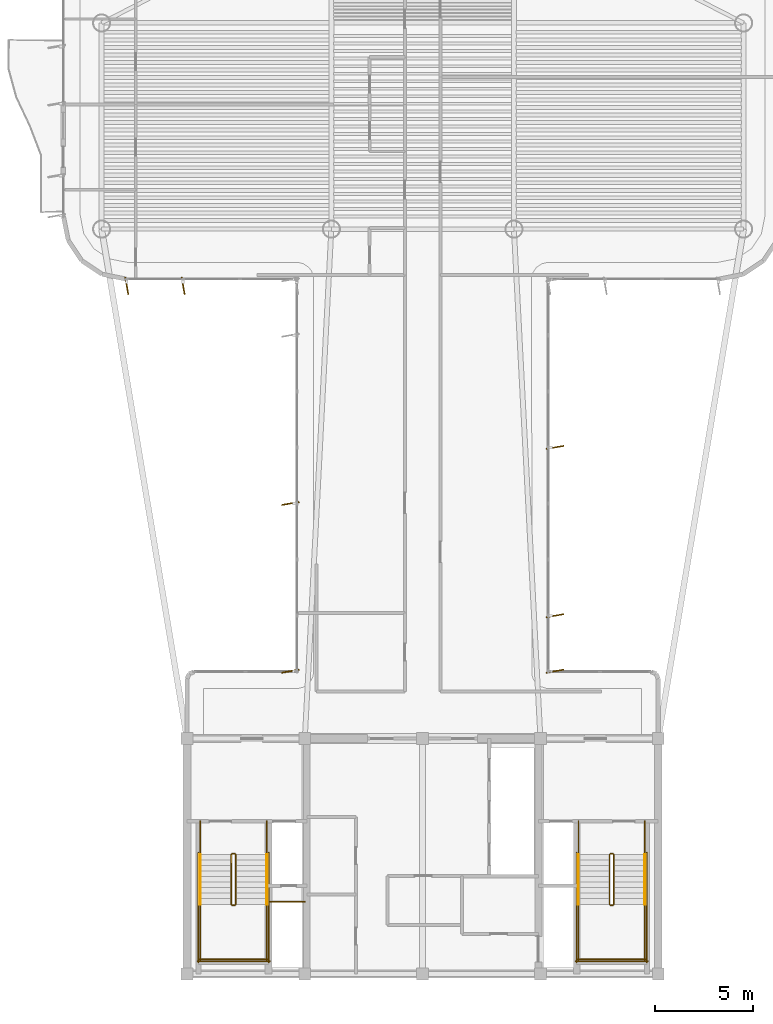
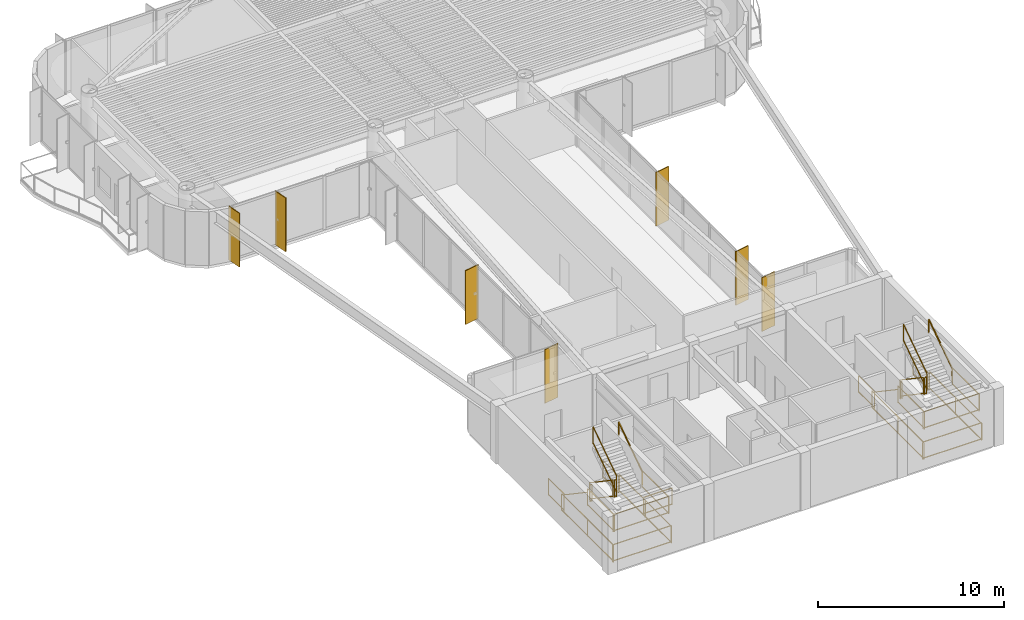
# One storey, part 14 of 15: 29 railings, 7 shading devices.
"""IFC4 building model written with IfcOpenShell, lengths in metres."""

from ifc_helpers import new_model, si_unit, direction, frame, origin, origin_2d, place, context, subcontext, project, spatial, rectangle, extrude, source, transform, mapped, material, layer, layer_set, material_profile, profile_set, type_object, element, save


model = new_model("IFC4")

# Units and contexts
model_context = context("Model", 3, precision=1e-05, world=origin(), true_north=direction((0.0, 1.0)))
body_context = subcontext(model_context, "Body", "Model", "MODEL_VIEW")
ifc_project = project(units=[si_unit("LENGTHUNIT", "METRE"), si_unit("AREAUNIT", "SQUARE_METRE"), si_unit("VOLUMEUNIT", "CUBIC_METRE"), si_unit("PLANEANGLEUNIT", "RADIAN"), si_unit("MASSUNIT", "GRAM", prefix="KILO")], contexts=[model_context])

# Site, building, storey
site_placement = place(None, origin())
site = spatial("IfcSite", under=ifc_project, at=site_placement, CompositionType="ELEMENT")
building_placement = place(site_placement, origin())
building = spatial("IfcBuilding", under=site, at=building_placement, Name="Brelvock Crest Care Tower", CompositionType="ELEMENT")
storey_placement = place(building_placement, frame((0.0, 0.0, 279.719970703125)))
storey = spatial("IfcBuildingStorey", under=building, at=storey_placement, Name="L71", CompositionType="ELEMENT", Elevation=279.719970703125)

# Railings
ifc_material_1 = material(Name="Steel Grade 350", Category="steel")
ifc_layer_1 = layer(ifc_material_1, 0.050048828125, Name="RL-STG1")
ifc_layer_set_1 = layer_set([ifc_layer_1], Name="Steel Grade 350")
railing_type_1 = type_object("IfcRailingType", Name="RL-STG1", PredefinedType="GUARDRAIL", material=ifc_layer_set_1)
railing_1_placement = place(storey_placement, frame((26.260009765625, 12.080078125, 0.18896484375)))
element("IfcRailing", 1, at=railing_1_placement, inside=storey, type_object=railing_type_1, Name="L71 ST-1 stair guard 1", PredefinedType="GUARDRAIL", context=body_context, shape_type="SweptSolid", body=[
    extrude(rectangle(XDim=0.048095703125, YDim=0.048095703125, at=origin_2d()), frame((0.0, -0.001708984375, 1.116943359375), z_axis=(0.0, -0.82882447046, 0.559508710537), x_axis=(1.0, 0.0, 0.0)), (0.0, 0.0, 1.0), 3.036376953125),
    extrude(rectangle(XDim=0.048095703125, YDim=0.048095703125, at=origin_2d()), frame((0.0, -0.001708984375, 0.05615234375), z_axis=(0.0, -0.82882447046, 0.559508710537), x_axis=(1.0, 0.0, 0.0)), (0.0, 0.0, 1.0), 3.036376953125),
    extrude(rectangle(XDim=0.0419921875, YDim=0.0419921875, at=origin_2d()), origin(), (0.0, 0.0, 1.0), 1.08984375),
    extrude(rectangle(XDim=0.0419921875, YDim=0.0419921875, at=origin_2d()), frame((0.0, -2.52001953125, 1.701171875)), (0.0, 0.0, 1.0), 1.08984375),
])
railing_2_placement = place(storey_placement, frame((26.31005859375, 9.510009765625, 1.89013671875)))
element("IfcRailing", 2, at=railing_2_placement, inside=storey, type_object=railing_type_1, Name="L71 ST-1 stair guard 2", PredefinedType="GUARDRAIL", context=body_context, shape_type="SweptSolid", body=[
    extrude(rectangle(XDim=0.048095703125, YDim=0.048095703125, at=origin_2d()), frame((0.001953125, 0.0, 1.11572265625), z_axis=(1.0, 0.0, 0.0), x_axis=(0.0, 1.0, 0.0)), (0.0, 0.0, 1.0), 0.115966796875),
    extrude(rectangle(XDim=0.048095703125, YDim=0.048095703125, at=origin_2d()), frame((0.001953125, 0.0, 0.054931640625), z_axis=(1.0, 0.0, 0.0), x_axis=(0.0, 1.0, 0.0)), (0.0, 0.0, 1.0), 0.115966796875),
    extrude(rectangle(XDim=0.0419921875, YDim=0.0419921875, at=origin_2d()), origin(), (0.0, 0.0, 1.0), 1.08984375),
    extrude(rectangle(XDim=0.0419921875, YDim=0.0419921875, at=origin_2d()), frame((0.119873046875, 0.0, 0.0)), (0.0, 0.0, 1.0), 1.08984375),
])
for number, where, name in (
    (3, (24.679931640625, 9.56005859375, 1.89013671875), "L71 ST-1 stair guard 3"),
    (4, (28.06005859375, 9.56005859375, 1.89013671875), "L71 ST-1 stair guard 4"),
):
    element("IfcRailing", number, at=place(storey_placement, frame(where)), inside=storey, type_object=railing_type_1, Name=name, PredefinedType="GUARDRAIL", context=body_context, shape_type="SweptSolid", body=[
        extrude(rectangle(XDim=0.048095703125, YDim=0.048095703125, at=origin_2d()), frame((0.0, -0.001953125, 1.11572265625), z_axis=(0.0, -1.0, 0.0), x_axis=(1.0, 0.0, 0.0)), (0.0, 0.0, 1.0), 2.856201171875),
        extrude(rectangle(XDim=0.048095703125, YDim=0.048095703125, at=origin_2d()), frame((0.0, -0.001953125, 0.054931640625), z_axis=(0.0, -1.0, 0.0), x_axis=(1.0, 0.0, 0.0)), (0.0, 0.0, 1.0), 2.856201171875),
        extrude(rectangle(XDim=0.0419921875, YDim=0.0419921875, at=origin_2d()), origin(), (0.0, 0.0, 1.0), 1.08984375),
        extrude(rectangle(XDim=0.0419921875, YDim=0.0419921875, at=origin_2d()), frame((0.0, -2.860107421875, 0.0)), (0.0, 0.0, 1.0), 1.08984375),
    ])
railing_3_placement = place(storey_placement, frame((24.6298828125, 6.75, 1.89013671875)))
element("IfcRailing", 5, at=railing_3_placement, inside=storey, type_object=railing_type_1, Name="L71 ST-1 stair guard 5", PredefinedType="GUARDRAIL", context=body_context, shape_type="SweptSolid", body=[
    extrude(rectangle(XDim=0.048095703125, YDim=0.048095703125, at=origin_2d()), frame((0.001953125, 0.0, 1.11572265625), z_axis=(1.0, 0.0, 0.0), x_axis=(0.0, 1.0, 0.0)), (0.0, 0.0, 1.0), 3.476318359375),
    extrude(rectangle(XDim=0.048095703125, YDim=0.048095703125, at=origin_2d()), frame((0.001953125, 0.0, 0.054931640625), z_axis=(1.0, 0.0, 0.0), x_axis=(0.0, 1.0, 0.0)), (0.0, 0.0, 1.0), 3.476318359375),
    extrude(rectangle(XDim=0.0419921875, YDim=0.0419921875, at=origin_2d()), origin(), (0.0, 0.0, 1.0), 1.08984375),
    extrude(rectangle(XDim=0.0419921875, YDim=0.0419921875, at=origin_2d()), frame((3.480224609375, 0.0, 0.0)), (0.0, 0.0, 1.0), 1.08984375),
])
railing_4_placement = place(storey_placement, frame((26.47998046875, 9.56005859375, 2.0791015625)))
element("IfcRailing", 6, at=railing_4_placement, inside=storey, type_object=railing_type_1, Name="L71 ST-1 stair guard 6", PredefinedType="GUARDRAIL", context=body_context, shape_type="SweptSolid", body=[
    extrude(rectangle(XDim=0.048095703125, YDim=0.048095703125, at=origin_2d()), frame((0.0, 0.001708984375, 1.116943359375), z_axis=(0.0, 0.828861706735, 0.559453546873), x_axis=(-1.0, 0.0, 0.0)), (0.0, 0.0, 1.0), 3.036376953125),
    extrude(rectangle(XDim=0.048095703125, YDim=0.048095703125, at=origin_2d()), frame((0.0, 0.001708984375, 0.05615234375), z_axis=(0.0, 0.828861706735, 0.559453546873), x_axis=(-1.0, 0.0, 0.0)), (0.0, 0.0, 1.0), 3.036376953125),
    extrude(rectangle(XDim=0.0419921875, YDim=0.0419921875, at=origin_2d()), origin(), (0.0, 0.0, 1.0), 1.08984375),
    extrude(rectangle(XDim=0.0419921875, YDim=0.0419921875, at=origin_2d()), frame((0.0, 2.52001953125, 1.700927734375)), (0.0, 0.0, 1.0), 1.08984375),
])
railing_5_placement = place(storey_placement, frame((26.31005859375, 12.1298828125, 0.0)))
element("IfcRailing", 7, at=railing_5_placement, inside=storey, type_object=railing_type_1, Name="L71 ST-1 stair guard 7", PredefinedType="GUARDRAIL", context=body_context, shape_type="SweptSolid", body=[
    extrude(rectangle(XDim=0.048095703125, YDim=0.048095703125, at=origin_2d()), frame((0.001953125, 0.0, 1.11572265625), z_axis=(1.0, 0.0, 0.0), x_axis=(0.0, 1.0, 0.0)), (0.0, 0.0, 1.0), 0.115966796875),
    extrude(rectangle(XDim=0.048095703125, YDim=0.048095703125, at=origin_2d()), frame((0.001953125, 0.0, 0.054931640625), z_axis=(1.0, 0.0, 0.0), x_axis=(0.0, 1.0, 0.0)), (0.0, 0.0, 1.0), 0.115966796875),
    extrude(rectangle(XDim=0.0419921875, YDim=0.0419921875, at=origin_2d()), origin(), (0.0, 0.0, 1.0), 1.08984375),
    extrude(rectangle(XDim=0.0419921875, YDim=0.0419921875, at=origin_2d()), frame((0.119873046875, 0.0, 0.0)), (0.0, 0.0, 1.0), 1.08984375),
])
for number, where, name in (
    (8, (24.679931640625, 13.780029296875, 0.0), "L71 ST-1 stair guard 8"),
    (9, (28.06005859375, 13.780029296875, 0.0), "L71 ST-1 stair guard 9"),
):
    element("IfcRailing", number, at=place(storey_placement, frame(where)), inside=storey, type_object=railing_type_1, Name=name, PredefinedType="GUARDRAIL", context=body_context, shape_type="SweptSolid", body=[
        extrude(rectangle(XDim=0.048095703125, YDim=0.048095703125, at=origin_2d()), frame((0.0, -0.001953125, 1.11572265625), z_axis=(0.0, -1.0, 0.0), x_axis=(1.0, 0.0, 0.0)), (0.0, 0.0, 1.0), 1.696044921875),
        extrude(rectangle(XDim=0.048095703125, YDim=0.048095703125, at=origin_2d()), frame((0.0, -0.001953125, 0.054931640625), z_axis=(0.0, -1.0, 0.0), x_axis=(1.0, 0.0, 0.0)), (0.0, 0.0, 1.0), 1.696044921875),
        extrude(rectangle(XDim=0.0419921875, YDim=0.0419921875, at=origin_2d()), origin(), (0.0, 0.0, 1.0), 1.08984375),
        extrude(rectangle(XDim=0.0419921875, YDim=0.0419921875, at=origin_2d()), frame((0.0, -1.699951171875, 0.0)), (0.0, 0.0, 1.0), 1.08984375),
    ])
for number, where, name in (
    (10, (24.580078125, 12.179931640625, 0.0), "L71 ST-1 stair guard 10"),
    (11, (28.159912109375, 12.179931640625, 0.0), "L71 ST-1 stair guard 11"),
):
    element("IfcRailing", number, at=place(storey_placement, frame(where)), inside=storey, type_object=railing_type_1, Name=name, PredefinedType="GUARDRAIL", context=body_context, shape_type="SweptSolid", body=[
        extrude(rectangle(XDim=0.048095703125, YDim=0.048095703125, at=origin_2d()), frame((0.0, -0.001953125, 1.11572265625), z_axis=(0.0, -1.0, 0.0), x_axis=(1.0, 0.0, 0.0)), (0.0, 0.0, 1.0), 5.575927734375),
        extrude(rectangle(XDim=0.048095703125, YDim=0.048095703125, at=origin_2d()), frame((0.0, -0.001953125, 0.054931640625), z_axis=(0.0, -1.0, 0.0), x_axis=(1.0, 0.0, 0.0)), (0.0, 0.0, 1.0), 5.575927734375),
        extrude(rectangle(XDim=0.0419921875, YDim=0.0419921875, at=origin_2d()), origin(), (0.0, 0.0, 1.0), 1.08984375),
        extrude(rectangle(XDim=0.0419921875, YDim=0.0419921875, at=origin_2d()), frame((0.0, -2.7900390625, 0.0)), (0.0, 0.0, 1.0), 1.08984375),
        extrude(rectangle(XDim=0.0419921875, YDim=0.0419921875, at=origin_2d()), frame((0.0, -5.579833984375, 0.0)), (0.0, 0.0, 1.0), 1.08984375),
    ])
railing_6_placement = place(storey_placement, frame((24.530029296875, 6.64990234375, 0.0)))
element("IfcRailing", 12, at=railing_6_placement, inside=storey, type_object=railing_type_1, Name="L71 ST-1 stair guard 12", PredefinedType="GUARDRAIL", context=body_context, shape_type="SweptSolid", body=[
    extrude(rectangle(XDim=0.048095703125, YDim=0.048095703125, at=origin_2d()), frame((0.001953125, 0.0, 1.11572265625), z_axis=(1.0, 0.0, 0.0), x_axis=(0.0, 1.0, 0.0)), (0.0, 0.0, 1.0), 3.676025390625),
    extrude(rectangle(XDim=0.048095703125, YDim=0.048095703125, at=origin_2d()), frame((0.001953125, 0.0, 0.054931640625), z_axis=(1.0, 0.0, 0.0), x_axis=(0.0, 1.0, 0.0)), (0.0, 0.0, 1.0), 3.676025390625),
    extrude(rectangle(XDim=0.0419921875, YDim=0.0419921875, at=origin_2d()), origin(), (0.0, 0.0, 1.0), 1.08984375),
    extrude(rectangle(XDim=0.0419921875, YDim=0.0419921875, at=origin_2d()), frame((3.679931640625, 0.0, 0.0)), (0.0, 0.0, 1.0), 1.08984375),
])
railing_7_placement = place(storey_placement, frame((45.52001953125, 12.080078125, 0.18896484375)))
element("IfcRailing", 13, at=railing_7_placement, inside=storey, type_object=railing_type_1, Name="L71 ST-2 stair guard 1", PredefinedType="GUARDRAIL", context=body_context, shape_type="SweptSolid", body=[
    extrude(rectangle(XDim=0.048095703125, YDim=0.048095703125, at=origin_2d()), frame((0.0, -0.001708984375, 1.116943359375), z_axis=(0.0, -0.82882447046, 0.559508710537), x_axis=(1.0, 0.0, 0.0)), (0.0, 0.0, 1.0), 3.036376953125),
    extrude(rectangle(XDim=0.048095703125, YDim=0.048095703125, at=origin_2d()), frame((0.0, -0.001708984375, 0.05615234375), z_axis=(0.0, -0.82882447046, 0.559508710537), x_axis=(1.0, 0.0, 0.0)), (0.0, 0.0, 1.0), 3.036376953125),
    extrude(rectangle(XDim=0.0419921875, YDim=0.0419921875, at=origin_2d()), origin(), (0.0, 0.0, 1.0), 1.08984375),
    extrude(rectangle(XDim=0.0419921875, YDim=0.0419921875, at=origin_2d()), frame((0.0, -2.52001953125, 1.701171875)), (0.0, 0.0, 1.0), 1.08984375),
])
railing_8_placement = place(storey_placement, frame((45.570068359375, 9.510009765625, 1.89013671875)))
element("IfcRailing", 14, at=railing_8_placement, inside=storey, type_object=railing_type_1, Name="L71 ST-2 stair guard 2", PredefinedType="GUARDRAIL", context=body_context, shape_type="SweptSolid", body=[
    extrude(rectangle(XDim=0.048095703125, YDim=0.048095703125, at=origin_2d()), frame((0.001953125, 0.0, 1.11572265625), z_axis=(1.0, 0.0, 0.0), x_axis=(0.0, 1.0, 0.0)), (0.0, 0.0, 1.0), 0.115966796875),
    extrude(rectangle(XDim=0.048095703125, YDim=0.048095703125, at=origin_2d()), frame((0.001953125, 0.0, 0.054931640625), z_axis=(1.0, 0.0, 0.0), x_axis=(0.0, 1.0, 0.0)), (0.0, 0.0, 1.0), 0.115966796875),
    extrude(rectangle(XDim=0.0419921875, YDim=0.0419921875, at=origin_2d()), origin(), (0.0, 0.0, 1.0), 1.08984375),
    extrude(rectangle(XDim=0.0419921875, YDim=0.0419921875, at=origin_2d()), frame((0.119873046875, 0.0, 0.0)), (0.0, 0.0, 1.0), 1.08984375),
])
for number, where, name in (
    (15, (43.93994140625, 9.56005859375, 1.89013671875), "L71 ST-2 stair guard 3"),
    (16, (47.320068359375, 9.56005859375, 1.89013671875), "L71 ST-2 stair guard 4"),
):
    element("IfcRailing", number, at=place(storey_placement, frame(where)), inside=storey, type_object=railing_type_1, Name=name, PredefinedType="GUARDRAIL", context=body_context, shape_type="SweptSolid", body=[
        extrude(rectangle(XDim=0.048095703125, YDim=0.048095703125, at=origin_2d()), frame((0.0, -0.001953125, 1.11572265625), z_axis=(0.0, -1.0, 0.0), x_axis=(1.0, 0.0, 0.0)), (0.0, 0.0, 1.0), 2.856201171875),
        extrude(rectangle(XDim=0.048095703125, YDim=0.048095703125, at=origin_2d()), frame((0.0, -0.001953125, 0.054931640625), z_axis=(0.0, -1.0, 0.0), x_axis=(1.0, 0.0, 0.0)), (0.0, 0.0, 1.0), 2.856201171875),
        extrude(rectangle(XDim=0.0419921875, YDim=0.0419921875, at=origin_2d()), origin(), (0.0, 0.0, 1.0), 1.08984375),
        extrude(rectangle(XDim=0.0419921875, YDim=0.0419921875, at=origin_2d()), frame((0.0, -2.860107421875, 0.0)), (0.0, 0.0, 1.0), 1.08984375),
    ])
railing_9_placement = place(storey_placement, frame((43.889892578125, 6.75, 1.89013671875)))
element("IfcRailing", 17, at=railing_9_placement, inside=storey, type_object=railing_type_1, Name="L71 ST-2 stair guard 5", PredefinedType="GUARDRAIL", context=body_context, shape_type="SweptSolid", body=[
    extrude(rectangle(XDim=0.048095703125, YDim=0.048095703125, at=origin_2d()), frame((0.001953125, 0.0, 1.11572265625), z_axis=(1.0, 0.0, 0.0), x_axis=(0.0, 1.0, 0.0)), (0.0, 0.0, 1.0), 3.476318359375),
    extrude(rectangle(XDim=0.048095703125, YDim=0.048095703125, at=origin_2d()), frame((0.001953125, 0.0, 0.054931640625), z_axis=(1.0, 0.0, 0.0), x_axis=(0.0, 1.0, 0.0)), (0.0, 0.0, 1.0), 3.476318359375),
    extrude(rectangle(XDim=0.0419921875, YDim=0.0419921875, at=origin_2d()), origin(), (0.0, 0.0, 1.0), 1.08984375),
    extrude(rectangle(XDim=0.0419921875, YDim=0.0419921875, at=origin_2d()), frame((3.480224609375, 0.0, 0.0)), (0.0, 0.0, 1.0), 1.08984375),
])
railing_10_placement = place(storey_placement, frame((45.739990234375, 9.56005859375, 2.0791015625)))
element("IfcRailing", 18, at=railing_10_placement, inside=storey, type_object=railing_type_1, Name="L71 ST-2 stair guard 6", PredefinedType="GUARDRAIL", context=body_context, shape_type="SweptSolid", body=[
    extrude(rectangle(XDim=0.048095703125, YDim=0.048095703125, at=origin_2d()), frame((0.0, 0.001708984375, 1.116943359375), z_axis=(0.0, 0.828861706735, 0.559453546873), x_axis=(-1.0, 0.0, 0.0)), (0.0, 0.0, 1.0), 3.036376953125),
    extrude(rectangle(XDim=0.048095703125, YDim=0.048095703125, at=origin_2d()), frame((0.0, 0.001708984375, 0.05615234375), z_axis=(0.0, 0.828861706735, 0.559453546873), x_axis=(-1.0, 0.0, 0.0)), (0.0, 0.0, 1.0), 3.036376953125),
    extrude(rectangle(XDim=0.0419921875, YDim=0.0419921875, at=origin_2d()), origin(), (0.0, 0.0, 1.0), 1.08984375),
    extrude(rectangle(XDim=0.0419921875, YDim=0.0419921875, at=origin_2d()), frame((0.0, 2.52001953125, 1.700927734375)), (0.0, 0.0, 1.0), 1.08984375),
])
railing_11_placement = place(storey_placement, frame((45.570068359375, 12.1298828125, 0.0)))
element("IfcRailing", 19, at=railing_11_placement, inside=storey, type_object=railing_type_1, Name="L71 ST-2 stair guard 7", PredefinedType="GUARDRAIL", context=body_context, shape_type="SweptSolid", body=[
    extrude(rectangle(XDim=0.048095703125, YDim=0.048095703125, at=origin_2d()), frame((0.001953125, 0.0, 1.11572265625), z_axis=(1.0, 0.0, 0.0), x_axis=(0.0, 1.0, 0.0)), (0.0, 0.0, 1.0), 0.115966796875),
    extrude(rectangle(XDim=0.048095703125, YDim=0.048095703125, at=origin_2d()), frame((0.001953125, 0.0, 0.054931640625), z_axis=(1.0, 0.0, 0.0), x_axis=(0.0, 1.0, 0.0)), (0.0, 0.0, 1.0), 0.115966796875),
    extrude(rectangle(XDim=0.0419921875, YDim=0.0419921875, at=origin_2d()), origin(), (0.0, 0.0, 1.0), 1.08984375),
    extrude(rectangle(XDim=0.0419921875, YDim=0.0419921875, at=origin_2d()), frame((0.119873046875, 0.0, 0.0)), (0.0, 0.0, 1.0), 1.08984375),
])
for number, where, name in (
    (20, (43.93994140625, 13.780029296875, 0.0), "L71 ST-2 stair guard 8"),
    (21, (47.320068359375, 13.780029296875, 0.0), "L71 ST-2 stair guard 9"),
):
    element("IfcRailing", number, at=place(storey_placement, frame(where)), inside=storey, type_object=railing_type_1, Name=name, PredefinedType="GUARDRAIL", context=body_context, shape_type="SweptSolid", body=[
        extrude(rectangle(XDim=0.048095703125, YDim=0.048095703125, at=origin_2d()), frame((0.0, -0.001953125, 1.11572265625), z_axis=(0.0, -1.0, 0.0), x_axis=(1.0, 0.0, 0.0)), (0.0, 0.0, 1.0), 1.696044921875),
        extrude(rectangle(XDim=0.048095703125, YDim=0.048095703125, at=origin_2d()), frame((0.0, -0.001953125, 0.054931640625), z_axis=(0.0, -1.0, 0.0), x_axis=(1.0, 0.0, 0.0)), (0.0, 0.0, 1.0), 1.696044921875),
        extrude(rectangle(XDim=0.0419921875, YDim=0.0419921875, at=origin_2d()), origin(), (0.0, 0.0, 1.0), 1.08984375),
        extrude(rectangle(XDim=0.0419921875, YDim=0.0419921875, at=origin_2d()), frame((0.0, -1.699951171875, 0.0)), (0.0, 0.0, 1.0), 1.08984375),
    ])
for number, where, name in (
    (22, (43.840087890625, 12.179931640625, 0.0), "L71 ST-2 stair guard 10"),
    (23, (47.419921875, 12.179931640625, 0.0), "L71 ST-2 stair guard 11"),
):
    element("IfcRailing", number, at=place(storey_placement, frame(where)), inside=storey, type_object=railing_type_1, Name=name, PredefinedType="GUARDRAIL", context=body_context, shape_type="SweptSolid", body=[
        extrude(rectangle(XDim=0.048095703125, YDim=0.048095703125, at=origin_2d()), frame((0.0, -0.001953125, 1.11572265625), z_axis=(0.0, -1.0, 0.0), x_axis=(1.0, 0.0, 0.0)), (0.0, 0.0, 1.0), 5.575927734375),
        extrude(rectangle(XDim=0.048095703125, YDim=0.048095703125, at=origin_2d()), frame((0.0, -0.001953125, 0.054931640625), z_axis=(0.0, -1.0, 0.0), x_axis=(1.0, 0.0, 0.0)), (0.0, 0.0, 1.0), 5.575927734375),
        extrude(rectangle(XDim=0.0419921875, YDim=0.0419921875, at=origin_2d()), origin(), (0.0, 0.0, 1.0), 1.08984375),
        extrude(rectangle(XDim=0.0419921875, YDim=0.0419921875, at=origin_2d()), frame((0.0, -2.7900390625, 0.0)), (0.0, 0.0, 1.0), 1.08984375),
        extrude(rectangle(XDim=0.0419921875, YDim=0.0419921875, at=origin_2d()), frame((0.0, -5.579833984375, 0.0)), (0.0, 0.0, 1.0), 1.08984375),
    ])
railing_12_placement = place(storey_placement, frame((43.7900390625, 6.64990234375, 0.0)))
element("IfcRailing", 24, at=railing_12_placement, inside=storey, type_object=railing_type_1, Name="L71 ST-2 stair guard 12", PredefinedType="GUARDRAIL", context=body_context, shape_type="SweptSolid", body=[
    extrude(rectangle(XDim=0.048095703125, YDim=0.048095703125, at=origin_2d()), frame((0.001953125, 0.0, 1.11572265625), z_axis=(1.0, 0.0, 0.0), x_axis=(0.0, 1.0, 0.0)), (0.0, 0.0, 1.0), 3.676025390625),
    extrude(rectangle(XDim=0.048095703125, YDim=0.048095703125, at=origin_2d()), frame((0.001953125, 0.0, 0.054931640625), z_axis=(1.0, 0.0, 0.0), x_axis=(0.0, 1.0, 0.0)), (0.0, 0.0, 1.0), 3.676025390625),
    extrude(rectangle(XDim=0.0419921875, YDim=0.0419921875, at=origin_2d()), origin(), (0.0, 0.0, 1.0), 1.08984375),
    extrude(rectangle(XDim=0.0419921875, YDim=0.0419921875, at=origin_2d()), frame((3.679931640625, 0.0, 0.0)), (0.0, 0.0, 1.0), 1.08984375),
])
railing_13_placement = place(storey_placement, frame((28.219970703125, 9.679931640625, 0.0)))
element("IfcRailing", 25, at=railing_13_placement, inside=storey, type_object=railing_type_1, Name="L71 Fire Riser Threshold Guard", PredefinedType="GUARDRAIL", context=body_context, shape_type="SweptSolid", body=[
    extrude(rectangle(XDim=0.048095703125, YDim=0.048095703125, at=origin_2d()), frame((0.001953125, 0.0, 1.11572265625), z_axis=(1.0, 0.0, 0.0), x_axis=(0.0, 1.0, 0.0)), (0.0, 0.0, 1.0), 1.776123046875),
    extrude(rectangle(XDim=0.048095703125, YDim=0.048095703125, at=origin_2d()), frame((0.001953125, 0.0, 0.054931640625), z_axis=(1.0, 0.0, 0.0), x_axis=(0.0, 1.0, 0.0)), (0.0, 0.0, 1.0), 1.776123046875),
    extrude(rectangle(XDim=0.0419921875, YDim=0.0419921875, at=origin_2d()), origin(), (0.0, 0.0, 1.0), 1.08984375),
    extrude(rectangle(XDim=0.0419921875, YDim=0.0419921875, at=origin_2d()), frame((1.780029296875, 0.0, 0.0)), (0.0, 0.0, 1.0), 1.08984375),
])
ifc_layer_2 = layer(ifc_material_1, 0.048095703125, Name="RL-STH1")
ifc_layer_set_2 = layer_set([ifc_layer_2], Name="Steel Grade 350")
railing_type_2 = type_object("IfcRailingType", Name="RL-STH1", PredefinedType="HANDRAIL", material=ifc_layer_set_2)
railing_14_placement = place(storey_placement, frame((24.679931640625, 12.080078125, 0.18896484375)))
element("IfcRailing", 26, at=railing_14_placement, inside=storey, type_object=railing_type_2, Name="L71 ST-1 stair handrail 1", PredefinedType="HANDRAIL", context=body_context, shape_type="SweptSolid", body=[
    extrude(rectangle(XDim=0.048095703125, YDim=0.048095703125, at=origin_2d()), frame((0.0, -0.001708984375, 0.876953125), z_axis=(0.0, -0.82882447046, 0.559508710537), x_axis=(1.0, 0.0, 0.0)), (0.0, 0.0, 1.0), 3.036376953125),
    extrude(rectangle(XDim=0.0419921875, YDim=0.0419921875, at=origin_2d()), origin(), (0.0, 0.0, 1.0), 0.849853515625),
    extrude(rectangle(XDim=0.0419921875, YDim=0.0419921875, at=origin_2d()), frame((0.0, -2.52001953125, 1.701171875)), (0.0, 0.0, 1.0), 0.849853515625),
])
railing_15_placement = place(storey_placement, frame((28.06005859375, 9.56005859375, 2.0791015625)))
element("IfcRailing", 27, at=railing_15_placement, inside=storey, type_object=railing_type_2, Name="L71 ST-1 stair handrail 2", PredefinedType="HANDRAIL", context=body_context, shape_type="SweptSolid", body=[
    extrude(rectangle(XDim=0.048095703125, YDim=0.048095703125, at=origin_2d()), frame((0.0, 0.001708984375, 0.876953125), z_axis=(0.0, 0.828861706735, 0.559453546873), x_axis=(-1.0, 0.0, 0.0)), (0.0, 0.0, 1.0), 3.036376953125),
    extrude(rectangle(XDim=0.0419921875, YDim=0.0419921875, at=origin_2d()), origin(), (0.0, 0.0, 1.0), 0.849853515625),
    extrude(rectangle(XDim=0.0419921875, YDim=0.0419921875, at=origin_2d()), frame((0.0, 2.52001953125, 1.700927734375)), (0.0, 0.0, 1.0), 0.849853515625),
])
railing_16_placement = place(storey_placement, frame((43.93994140625, 12.080078125, 0.18896484375)))
element("IfcRailing", 28, at=railing_16_placement, inside=storey, type_object=railing_type_2, Name="L71 ST-2 stair handrail 1", PredefinedType="HANDRAIL", context=body_context, shape_type="SweptSolid", body=[
    extrude(rectangle(XDim=0.048095703125, YDim=0.048095703125, at=origin_2d()), frame((0.0, -0.001708984375, 0.876953125), z_axis=(0.0, -0.82882447046, 0.559508710537), x_axis=(1.0, 0.0, 0.0)), (0.0, 0.0, 1.0), 3.036376953125),
    extrude(rectangle(XDim=0.0419921875, YDim=0.0419921875, at=origin_2d()), origin(), (0.0, 0.0, 1.0), 0.849853515625),
    extrude(rectangle(XDim=0.0419921875, YDim=0.0419921875, at=origin_2d()), frame((0.0, -2.52001953125, 1.701171875)), (0.0, 0.0, 1.0), 0.849853515625),
])
railing_17_placement = place(storey_placement, frame((47.320068359375, 9.56005859375, 2.0791015625)))
element("IfcRailing", 29, at=railing_17_placement, inside=storey, type_object=railing_type_2, Name="L71 ST-2 stair handrail 2", PredefinedType="HANDRAIL", context=body_context, shape_type="SweptSolid", body=[
    extrude(rectangle(XDim=0.048095703125, YDim=0.048095703125, at=origin_2d()), frame((0.0, 0.001708984375, 0.876953125), z_axis=(0.0, 0.828861706735, 0.559453546873), x_axis=(-1.0, 0.0, 0.0)), (0.0, 0.0, 1.0), 3.036376953125),
    extrude(rectangle(XDim=0.0419921875, YDim=0.0419921875, at=origin_2d()), origin(), (0.0, 0.0, 1.0), 0.849853515625),
    extrude(rectangle(XDim=0.0419921875, YDim=0.0419921875, at=origin_2d()), frame((0.0, 2.52001953125, 1.700927734375)), (0.0, 0.0, 1.0), 0.849853515625),
])

# Shading devices
ifc_material_2 = material(Name="Aluminium 6063-T6", Category="aluminium")
ifc_material_profile = material_profile(ifc_material_2, rectangle(XDim=0.054931640625, YDim=0.89990234375, at=origin_2d()), Name="FIN55x900")
ifc_profile_set = profile_set([ifc_material_profile], Name="Aluminium 6063-T6")
shading_device_type = type_object("IfcShadingDeviceType", Name="SHD-FIN1", PredefinedType="USERDEFINED", material=ifc_profile_set)
shared_shape = source(origin(), body_context, "Body", "SweptSolid", [
    extrude(rectangle(XDim=0.054931640625, YDim=0.89990234375, at=origin_2d()), origin(), (0.0, 0.0, 1.0), 3.530029296875),
])
for number, where, z_axis, x_axis, name in (
    (30, (29.260009765625, 21.429931640625, 0.0), (0.0, 0.0, 1.0), (-0.173648177667, 0.984807753012, 0.0), "L71 Vertical Sunshade Fin E11-01"),
    (31, (29.260009765625, 29.971435546875, 0.0), (0.0, 0.0, 1.0), (-0.173648177667, 0.984807753012, 0.0), "L71 Vertical Sunshade Fin E11-04"),
    (32, (23.800048828125, 41.06005859375, 0.0), (0.0, 0.0, 1.0), (-0.984807753012, -0.173648177667, 0.0), "L71 Vertical Sunshade Fin E12-03"),
    (33, (20.929931640625, 41.06005859375, 0.0), (0.0, 0.0, 1.0), (-0.984807753012, -0.173648177667, 0.0), "L71 Vertical Sunshade Fin E12-04"),
    (34, (42.739990234375, 32.82861328125, 0.0), (0.0, 0.0, 1.0), (0.173648177667, -0.984807753012, 0.0), "L71 Vertical Sunshade Fin E45-04"),
    (35, (42.739990234375, 24.257080078125, 0.0), (0.0, 0.0, 1.0), (0.173648177667, -0.984807753012, 0.0), "L71 Vertical Sunshade Fin E45-07"),
    (36, (42.739990234375, 21.429931640625, 0.0), (0.0, 0.0, 1.0), (0.173648177667, -0.984807753012, 0.0), "L71 Vertical Sunshade Fin E45-08"),
):
    element("IfcShadingDevice", number, at=place(storey_placement, frame(where, z_axis=z_axis, x_axis=x_axis)), inside=storey, type_object=shading_device_type, Name=name, ObjectType="FIN", PredefinedType="USERDEFINED", context=body_context, shape_type="MappedRepresentation", body=[
        mapped(shared_shape, transform((0.0, 0.0, 0.0), x_axis=(1.0, 0.0, 0.0), y_axis=(0.0, 1.0, 0.0), z_axis=(0.0, 0.0, 1.0), scale=1.0)),
    ])

save(model, "model.ifc")
